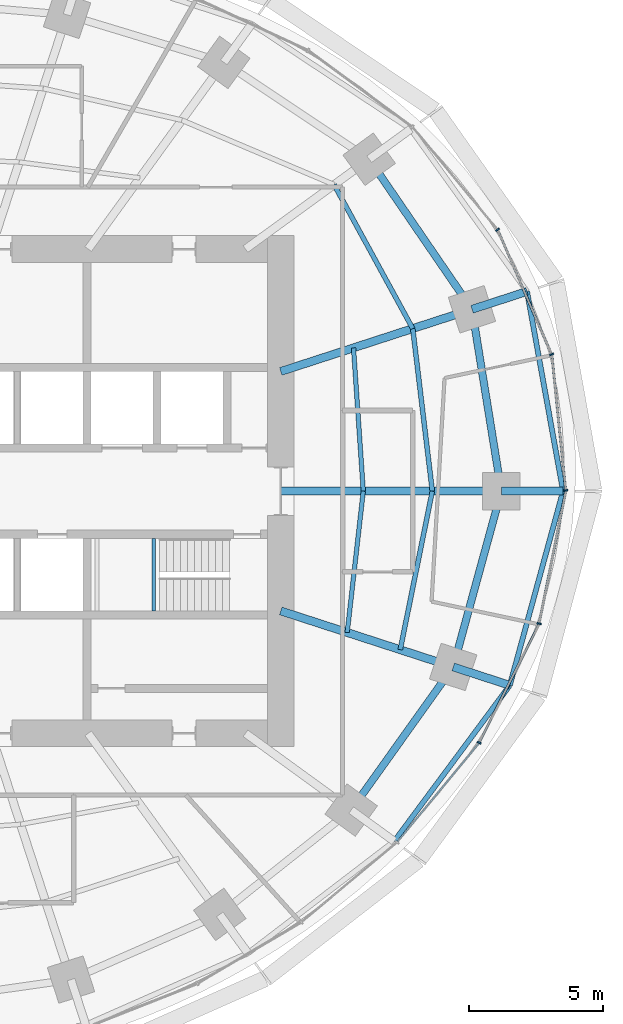
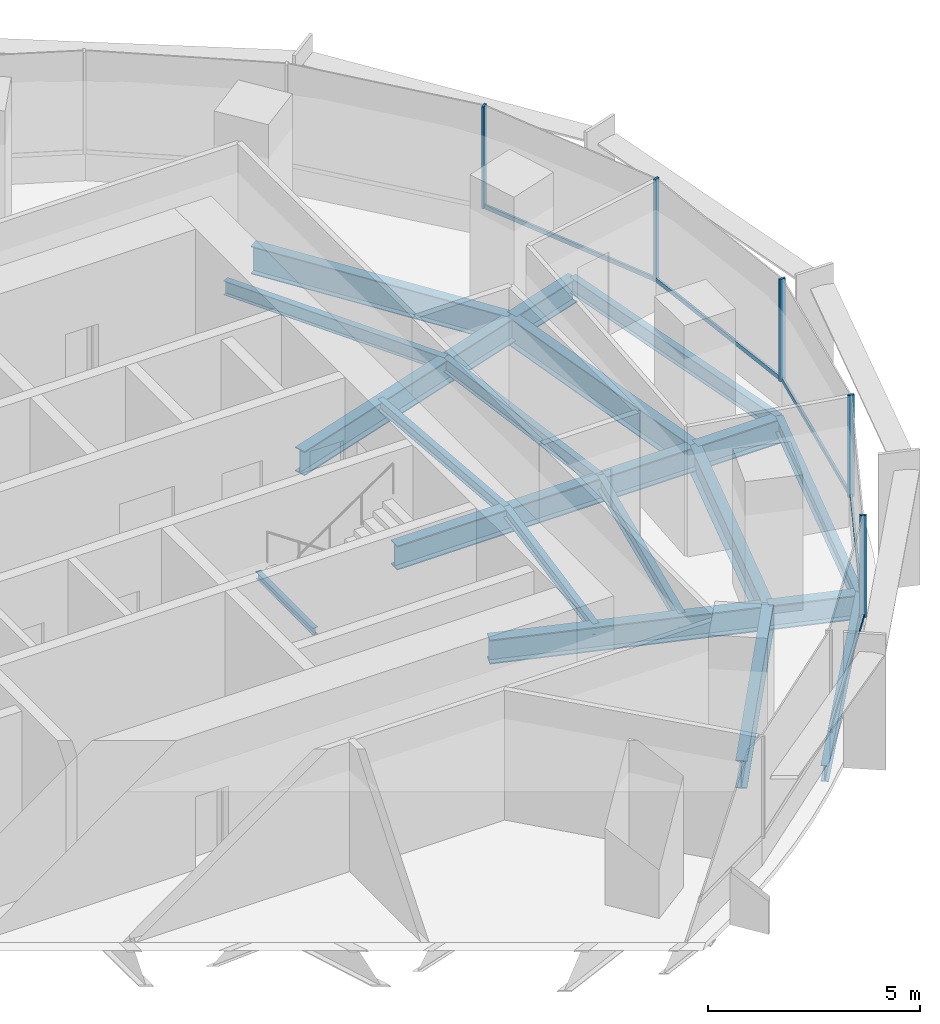
# One storey, part 6 of 14: 19 beams, 10 members, 2 elements without a shape of their own.
"""IFC4 building model written with IfcOpenShell, lengths in metres."""

from ifc_helpers import new_model, si_unit, direction, frame, origin, origin_2d, place, context, subcontext, project, spatial, rectangle, i_section, extrude, material, material_profile, profile_set, type_object, element, aggregate, save


model = new_model("IFC4")

# Units and contexts
model_context = context("Model", 3, precision=1e-05, world=origin(), true_north=direction((0.0, 1.0)))
body_context = subcontext(model_context, "Body", "Model", "MODEL_VIEW")
ifc_project = project(units=[si_unit("LENGTHUNIT", "METRE"), si_unit("AREAUNIT", "SQUARE_METRE"), si_unit("VOLUMEUNIT", "CUBIC_METRE"), si_unit("PLANEANGLEUNIT", "RADIAN"), si_unit("MASSUNIT", "GRAM", prefix="KILO")], contexts=[model_context])

# Site, building, storey
site_placement = place(None, origin())
site = spatial("IfcSite", under=ifc_project, at=site_placement, CompositionType="ELEMENT")
building_placement = place(site_placement, origin())
building = spatial("IfcBuilding", under=site, at=building_placement, Name="Marramba Exchange Tower", CompositionType="ELEMENT")
storey_placement = place(building_placement, frame((0.0, 0.0, 195.5)))
storey = spatial("IfcBuildingStorey", under=building, at=storey_placement, Name="L47", CompositionType="ELEMENT", Elevation=195.5)

# Beams
ifc_material_1 = material(Name="Steel AS/NZS 3679.2 grade 300", Category="steel")
ifc_material_profile_1 = material_profile(ifc_material_1, i_section(OverallWidth=0.300048828125, OverallDepth=0.699951171875, WebThickness=0.010009765625, FlangeThickness=0.031982421875, at=origin_2d()), Name="700WB173")
ifc_profile_set_1 = profile_set([ifc_material_profile_1], Name="Steel AS/NZS 3679.2 grade 300")
beam_type_1 = type_object("IfcBeamType", Name="Cantilever girder 700WB173", PredefinedType="BEAM", material=ifc_profile_set_1)
beam_1_placement = place(storey_placement, frame((21.89990234375, 0.0, -0.510009765625), z_axis=(1.0, 0.0, 0.0), x_axis=(0.0, 1.0, 0.0)))
element("IfcBeam", 1, at=beam_1_placement, inside=storey, type_object=beam_type_1, Name="Cantilever girder L47 TC01", PredefinedType="BEAM", context=body_context, shape_type="SweptSolid", body=[
    extrude(i_section(OverallWidth=0.300048828125, OverallDepth=0.699951171875, WebThickness=0.010009765625, FlangeThickness=0.031982421875, at=origin_2d()), origin(), (0.0, 0.0, 1.0), 2.294189453125),
])
beam_2_placement = place(storey_placement, frame((20.808349609375, 6.760986328125, -0.510009765625), z_axis=(0.951051587859, 0.309032162129, 0.0), x_axis=(-0.309032162129, 0.951051587859, 0.0)))
element("IfcBeam", 2, at=beam_2_placement, inside=storey, type_object=beam_type_1, Name="Cantilever girder L47 TC02", PredefinedType="BEAM", context=body_context, shape_type="SweptSolid", body=[
    extrude(i_section(OverallWidth=0.300048828125, OverallDepth=0.699951171875, WebThickness=0.010009765625, FlangeThickness=0.031982421875, at=origin_2d()), origin(), (0.0, 0.0, 1.0), 2.150390625),
])
beam_3_placement = place(storey_placement, frame((20.109375, -6.533935546875, -0.510009765625), z_axis=(0.951050283347, -0.309036176758, 0.0), x_axis=(0.309036176758, 0.951050283347, 0.0)))
element("IfcBeam", 3, at=beam_3_placement, inside=storey, type_object=beam_type_1, Name="Cantilever girder L47 TC20", PredefinedType="BEAM", context=body_context, shape_type="SweptSolid", body=[
    extrude(i_section(OverallWidth=0.300048828125, OverallDepth=0.699951171875, WebThickness=0.010009765625, FlangeThickness=0.031982421875, at=origin_2d()), origin(), (0.0, 0.0, 1.0), 2.212890625),
])
ifc_material_2 = material(Name="Steel AS/NZS 3679.1 grade 300", Category="steel")
ifc_material_profile_2 = material_profile(ifc_material_2, i_section(OverallWidth=0.166015625, OverallDepth=0.306884765625, WebThickness=0.006591796875, FlangeThickness=0.01171875, FilletRadius=0.011474609375, at=origin_2d()), Name="310UB46.2")
ifc_profile_set_2 = profile_set([ifc_material_profile_2], Name="Steel AS/NZS 3679.1 grade 300")
beam_type_2 = type_object("IfcBeamType", Name="Floor joist 310UB46.2", PredefinedType="JOIST", material=ifc_profile_set_2)
beam_4_placement = place(storey_placement, frame((16.7666015625, 0.0, -0.3134765625), z_axis=(-0.068096259546, 0.99767875563, 0.0), x_axis=(-0.99767875563, -0.068096259546, 0.0)))
element("IfcBeam", 4, at=beam_4_placement, inside=storey, type_object=beam_type_2, Name="Joist L47 bay 01 row 1", PredefinedType="JOIST", context=body_context, shape_type="SweptSolid", body=[
    extrude(i_section(OverallWidth=0.166015625, OverallDepth=0.306884765625, WebThickness=0.006591796875, FlangeThickness=0.01171875, FilletRadius=0.011474609375, at=origin_2d()), origin(), (0.0, 0.0, 1.0), 5.342041015625),
])
beam_5_placement = place(storey_placement, frame((16.169677734375, -5.25390625, -0.3134765625), z_axis=(0.112888968594, 0.993607609054, 0.0), x_axis=(-0.993607609054, 0.112888968594, 0.0)))
element("IfcBeam", 5, at=beam_5_placement, inside=storey, type_object=beam_type_2, Name="Joist L47 bay 20 row 1", PredefinedType="JOIST", context=body_context, shape_type="SweptSolid", body=[
    extrude(i_section(OverallWidth=0.166015625, OverallDepth=0.306884765625, WebThickness=0.006591796875, FlangeThickness=0.01171875, FilletRadius=0.011474609375, at=origin_2d()), origin(), (0.0, 0.0, 1.0), 5.28759765625),
])
ifc_material_profile_3 = material_profile(ifc_material_2, i_section(OverallWidth=0.177978515625, OverallDepth=0.406005859375, WebThickness=0.0078125, FlangeThickness=0.0126953125, FilletRadius=0.011474609375, at=origin_2d()), Name="410UB59.7")
ifc_profile_set_3 = profile_set([ifc_material_profile_3], Name="Steel AS/NZS 3679.1 grade 300")
beam_type_3 = type_object("IfcBeamType", Name="Floor joist 410UB59.7", PredefinedType="JOIST", material=ifc_profile_set_3)
beam_6_placement = place(storey_placement, frame((19.333251953125, 0.0, -0.363037109375), z_axis=(-0.119523078538, 0.992831422597, 0.0), x_axis=(-0.992831422597, -0.119523078538, 0.0)))
element("IfcBeam", 6, at=beam_6_placement, inside=storey, type_object=beam_type_3, Name="Joist L47 bay 01 row 2", PredefinedType="JOIST", context=body_context, shape_type="SweptSolid", body=[
    extrude(i_section(OverallWidth=0.177978515625, OverallDepth=0.406005859375, WebThickness=0.0078125, FlangeThickness=0.0126953125, FilletRadius=0.011474609375, at=origin_2d()), origin(), (0.0, 0.0, 1.0), 6.089111328125),
])
beam_7_placement = place(storey_placement, frame((18.60546875, 6.04541015625, -0.363037109375), z_axis=(-0.479584443791, 0.877495732909, 0.0), x_axis=(-0.877495732909, -0.479584443791, 0.0)))
element("IfcBeam", 7, at=beam_7_placement, inside=storey, type_object=beam_type_3, Name="Joist L47 bay 02 row 2", PredefinedType="JOIST", context=body_context, shape_type="SweptSolid", body=[
    extrude(i_section(OverallWidth=0.177978515625, OverallDepth=0.406005859375, WebThickness=0.0078125, FlangeThickness=0.0126953125, FilletRadius=0.011474609375, at=origin_2d()), origin(), (0.0, 0.0, 1.0), 6.094970703125),
])
beam_8_placement = place(storey_placement, frame((18.1396484375, -5.893798828125, -0.363037109375), z_axis=(0.198489047047, 0.980103105904, 0.0), x_axis=(-0.980103105904, 0.198489047047, 0.0)))
element("IfcBeam", 8, at=beam_8_placement, inside=storey, type_object=beam_type_3, Name="Joist L47 bay 20 row 2", PredefinedType="JOIST", context=body_context, shape_type="SweptSolid", body=[
    extrude(i_section(OverallWidth=0.177978515625, OverallDepth=0.406005859375, WebThickness=0.0078125, FlangeThickness=0.0126953125, FilletRadius=0.011474609375, at=origin_2d()), origin(), (0.0, 0.0, 1.0), 6.013427734375),
])

# Curtain wall, members
ifc_material_3 = material(Name="Aluminium framing, bronze anodised", Category="aluminium")
curtain_wall_type = type_object("IfcCurtainWallType", Name="Office ribbon curtain wall", PredefinedType="USERDEFINED", material=ifc_material_3)
curtain_wall_1_placement = place(storey_placement, origin())
curtain_wall_1 = element("IfcCurtainWall", 9, at=curtain_wall_1_placement, inside=storey, type_object=curtain_wall_type, Name="Curtain wall CW4 L47 F01-F05", ObjectType="RIBBON CURTAIN WALL", PredefinedType="USERDEFINED")
ifc_material_4 = material(Name="Aluminium mullion, bronze anodised", Category="aluminium")
ifc_material_profile_4 = material_profile(ifc_material_4, rectangle(XDim=0.159912109375, YDim=0.06005859375, at=origin_2d()), Name="CW4 mullion 60x160")
ifc_profile_set_4 = profile_set([ifc_material_profile_4], Name="Aluminium mullion, bronze anodised")
member_type_1 = type_object("IfcMemberType", Name="Office ribbon curtain wall mullion", PredefinedType="MULLION", material=ifc_profile_set_4)
member_1_placement = place(storey_placement, frame((24.291015625, 0.02978515625, 0.800048828125), z_axis=(0.0, 0.0, 1.0), x_axis=(-0.994843446001, -0.101422472607, 0.0)))
member_1 = element("IfcMember", 10, at=member_1_placement, type_object=member_type_1, Name="CW4 mullion 1", PredefinedType="MULLION", context=body_context, shape_type="SweptSolid", body=[
    extrude(rectangle(XDim=0.159912109375, YDim=0.06005859375, at=origin_2d()), origin(), (0.0, 0.0, 1.0), 2.93994140625),
])
member_2_placement = place(storey_placement, frame((23.766845703125, 5.081787109375, 0.800048828125), z_axis=(0.0, 0.0, 1.0), x_axis=(-0.918167104527, -0.396193346946, 0.0)))
member_2 = element("IfcMember", 11, at=member_2_placement, type_object=member_type_1, Name="CW4 mullion 1", PredefinedType="MULLION", context=body_context, shape_type="SweptSolid", body=[
    extrude(rectangle(XDim=0.159912109375, YDim=0.06005859375, at=origin_2d()), origin(), (0.0, 0.0, 1.0), 2.93994140625),
])
member_3_placement = place(storey_placement, frame((21.757080078125, 9.718505859375, 0.800048828125), z_axis=(0.0, 0.0, 1.0), x_axis=(-0.770574258342, -0.637350227411, 0.0)))
member_3 = element("IfcMember", 12, at=member_3_placement, type_object=member_type_1, Name="CW4 mullion 1", PredefinedType="MULLION", context=body_context, shape_type="SweptSolid", body=[
    extrude(rectangle(XDim=0.159912109375, YDim=0.06005859375, at=origin_2d()), origin(), (0.0, 0.0, 1.0), 2.93994140625),
])

curtain_wall_2_placement = place(storey_placement, origin())
curtain_wall_2 = element("IfcCurtainWall", 13, at=curtain_wall_2_placement, inside=storey, type_object=curtain_wall_type, Name="Curtain wall CW4 L47 F26-F30", ObjectType="RIBBON CURTAIN WALL", PredefinedType="USERDEFINED")
member_4_placement = place(storey_placement, frame((21.07568359375, -9.3505859375, 0.800048828125), z_axis=(0.0, 0.0, 1.0), x_axis=(-0.892689067591, 0.450673083956, 0.0)))
member_4 = element("IfcMember", 14, at=member_4_placement, type_object=member_type_1, Name="CW4 mullion 1", PredefinedType="MULLION", context=body_context, shape_type="SweptSolid", body=[
    extrude(rectangle(XDim=0.159912109375, YDim=0.06005859375, at=origin_2d()), origin(), (0.0, 0.0, 1.0), 2.93994140625),
])
member_5_placement = place(storey_placement, frame((23.30224609375, -4.92236328125, 0.800048828125), z_axis=(0.0, 0.0, 1.0), x_axis=(-0.980303812539, 0.197495405316, 0.0)))
member_5 = element("IfcMember", 15, at=member_5_placement, type_object=member_type_1, Name="CW4 mullion 1", PredefinedType="MULLION", context=body_context, shape_type="SweptSolid", body=[
    extrude(rectangle(XDim=0.159912109375, YDim=0.06005859375, at=origin_2d()), origin(), (0.0, 0.0, 1.0), 2.93994140625),
])

# Member
ifc_material_5 = material(Name="Aluminium transom, bronze anodised", Category="aluminium")
ifc_material_profile_5 = material_profile(ifc_material_5, rectangle(XDim=0.06005859375, YDim=0.1201171875, at=origin_2d()), Name="CW4 transom 60x120")
ifc_profile_set_5 = profile_set([ifc_material_profile_5], Name="Aluminium transom, bronze anodised")
member_type_2 = type_object("IfcMemberType", Name="Office ribbon curtain wall transom", PredefinedType="USERDEFINED", material=ifc_profile_set_5)
member_6_placement = place(storey_placement, frame((24.287841796875, 0.0595703125, 0.830078125), z_axis=(-0.101386007846, 0.994847162841, 0.0), x_axis=(-0.994847162841, -0.101386007846, 0.0)))
member_6 = element("IfcMember", 16, at=member_6_placement, type_object=member_type_2, Name="CW4 sill transom", ObjectType="TRANSOM", PredefinedType="USERDEFINED", context=body_context, shape_type="SweptSolid", body=[
    extrude(rectangle(XDim=0.06005859375, YDim=0.1201171875, at=origin_2d()), origin(), (0.0, 0.0, 1.0), 5.020751953125),
])

member_7_placement = place(storey_placement, frame((23.7548828125, 5.109375, 0.830078125), z_axis=(-0.396177573744, 0.918173910576, 0.0), x_axis=(-0.918173910576, -0.396177573744, 0.0)))
member_7 = element("IfcMember", 17, at=member_7_placement, type_object=member_type_2, Name="CW4 sill transom", ObjectType="TRANSOM", PredefinedType="USERDEFINED", context=body_context, shape_type="SweptSolid", body=[
    extrude(rectangle(XDim=0.06005859375, YDim=0.1201171875, at=origin_2d()), origin(), (0.0, 0.0, 1.0), 4.99462890625),
])

aggregate(curtain_wall_1, [member_1, member_6, member_2, member_7, member_3])

member_8_placement = place(storey_placement, frame((18.03515625, -13.029296875, 0.830078125), z_axis=(0.638146908901, 0.76991462037, 0.0), x_axis=(-0.76991462037, 0.638146908901, 0.0)))
member_8 = element("IfcMember", 18, at=member_8_placement, type_object=member_type_2, Name="CW4 sill transom", ObjectType="TRANSOM", PredefinedType="USERDEFINED", context=body_context, shape_type="SweptSolid", body=[
    extrude(rectangle(XDim=0.06005859375, YDim=0.1201171875, at=origin_2d()), origin(), (0.0, 0.0, 1.0), 4.7431640625),
])

member_9_placement = place(storey_placement, frame((21.089111328125, -9.323974609375, 0.830078125), z_axis=(0.450679681949, 0.892685736572, 0.0), x_axis=(-0.892685736572, 0.450679681949, 0.0)))
member_9 = element("IfcMember", 19, at=member_9_placement, type_object=member_type_2, Name="CW4 sill transom", ObjectType="TRANSOM", PredefinedType="USERDEFINED", context=body_context, shape_type="SweptSolid", body=[
    extrude(rectangle(XDim=0.06005859375, YDim=0.1201171875, at=origin_2d()), origin(), (0.0, 0.0, 1.0), 4.897705078125),
])

member_10_placement = place(storey_placement, frame((23.308349609375, -4.89306640625, 0.830078125), z_axis=(0.197461053167, 0.980310732616, 0.0), x_axis=(-0.980310732616, 0.197461053167, 0.0)))
member_10 = element("IfcMember", 20, at=member_10_placement, type_object=member_type_2, Name="CW4 sill transom", ObjectType="TRANSOM", PredefinedType="USERDEFINED", context=body_context, shape_type="SweptSolid", body=[
    extrude(rectangle(XDim=0.06005859375, YDim=0.1201171875, at=origin_2d()), origin(), (0.0, 0.0, 1.0), 4.991455078125),
])

aggregate(curtain_wall_2, [member_8, member_4, member_9, member_5, member_10])

# Beams
ifc_material_profile_6 = material_profile(ifc_material_1, i_section(OverallWidth=0.300048828125, OverallDepth=0.699951171875, WebThickness=0.010009765625, FlangeThickness=0.031982421875, at=origin_2d()), Name="700WB173")
ifc_profile_set_6 = profile_set([ifc_material_profile_6], Name="Steel AS/NZS 3679.2 grade 300")
beam_type_4 = type_object("IfcBeamType", Name="Radial girder 700WB173", PredefinedType="BEAM", material=ifc_profile_set_6)
beam_9_placement = place(storey_placement, frame((13.699951171875, 0.0, -0.510009765625), z_axis=(1.0, 0.0, 0.0), x_axis=(0.0, 1.0, 0.0)))
element("IfcBeam", 21, at=beam_9_placement, inside=storey, type_object=beam_type_4, Name="Radial girder L47 TC01", PredefinedType="BEAM", context=body_context, shape_type="SweptSolid", body=[
    extrude(i_section(OverallWidth=0.300048828125, OverallDepth=0.699951171875, WebThickness=0.010009765625, FlangeThickness=0.031982421875, at=origin_2d()), origin(), (0.0, 0.0, 1.0), 8.199951171875),
])
beam_10_placement = place(storey_placement, frame((13.699951171875, 4.451416015625, -0.510009765625), z_axis=(0.951059990189, 0.309006302624, 0.0), x_axis=(-0.309006302624, 0.951059990189, 0.0)))
element("IfcBeam", 22, at=beam_10_placement, inside=storey, type_object=beam_type_4, Name="Radial girder L47 TC02", PredefinedType="BEAM", context=body_context, shape_type="SweptSolid", body=[
    extrude(i_section(OverallWidth=0.300048828125, OverallDepth=0.699951171875, WebThickness=0.010009765625, FlangeThickness=0.031982421875, at=origin_2d()), origin(), (0.0, 0.0, 1.0), 7.47412109375),
])
beam_11_placement = place(storey_placement, frame((13.699951171875, -4.451416015625, -0.510009765625), z_axis=(0.951057759669, -0.309013167637, 0.0), x_axis=(0.309013167637, 0.951057759669, 0.0)))
element("IfcBeam", 23, at=beam_11_placement, inside=storey, type_object=beam_type_4, Name="Radial girder L47 TC20", PredefinedType="BEAM", context=body_context, shape_type="SweptSolid", body=[
    extrude(i_section(OverallWidth=0.300048828125, OverallDepth=0.699951171875, WebThickness=0.010009765625, FlangeThickness=0.031982421875, at=origin_2d()), origin(), (0.0, 0.0, 1.0), 6.7392578125),
])
ifc_material_profile_7 = material_profile(ifc_material_1, i_section(OverallWidth=0.27490234375, OverallDepth=0.800048828125, WebThickness=0.010009765625, FlangeThickness=0.02490234375, at=origin_2d()), Name="800WB168")
ifc_profile_set_7 = profile_set([ifc_material_profile_7], Name="Steel AS/NZS 3679.2 grade 300")
beam_type_5 = type_object("IfcBeamType", Name="Ring beam 800WB168", PredefinedType="SPANDREL", material=ifc_profile_set_7)
beam_12_placement = place(storey_placement, frame((21.89990234375, 0.0, -0.56005859375), z_axis=(-0.159384865399, 0.987216523708, 0.0), x_axis=(-0.987216523708, -0.159384865399, 0.0)))
element("IfcBeam", 24, at=beam_12_placement, inside=storey, type_object=beam_type_5, Name="Ring beam L47 TC01-TC02", PredefinedType="SPANDREL", context=body_context, shape_type="SweptSolid", body=[
    extrude(i_section(OverallWidth=0.27490234375, OverallDepth=0.800048828125, WebThickness=0.010009765625, FlangeThickness=0.02490234375, at=origin_2d()), origin(), (0.0, 0.0, 1.0), 6.8486328125),
])
beam_13_placement = place(storey_placement, frame((20.808349609375, 6.760986328125, -0.56005859375), z_axis=(-0.56516002054, 0.824981303535, 0.0), x_axis=(-0.824981303535, -0.56516002054, 0.0)))
element("IfcBeam", 25, at=beam_13_placement, inside=storey, type_object=beam_type_5, Name="Ring beam L47 TC02-TC03", PredefinedType="SPANDREL", context=body_context, shape_type="SweptSolid", body=[
    extrude(i_section(OverallWidth=0.27490234375, OverallDepth=0.800048828125, WebThickness=0.010009765625, FlangeThickness=0.02490234375, at=origin_2d()), origin(), (0.0, 0.0, 1.0), 6.763671875),
])
beam_14_placement = place(storey_placement, frame((16.3154296875, -11.853759765625, -0.56005859375), z_axis=(0.580637181111, 0.814162430914, 0.0), x_axis=(-0.814162430914, 0.580637181111, 0.0)))
element("IfcBeam", 26, at=beam_14_placement, inside=storey, type_object=beam_type_5, Name="Ring beam L47 TC19-TC20", PredefinedType="SPANDREL", context=body_context, shape_type="SweptSolid", body=[
    extrude(i_section(OverallWidth=0.27490234375, OverallDepth=0.800048828125, WebThickness=0.010009765625, FlangeThickness=0.02490234375, at=origin_2d()), origin(), (0.0, 0.0, 1.0), 6.5341796875),
])
beam_15_placement = place(storey_placement, frame((20.109375, -6.533935546875, -0.56005859375), z_axis=(0.264291166956, 0.964442937176, 0.0), x_axis=(-0.964442937176, 0.264291166956, 0.0)))
element("IfcBeam", 27, at=beam_15_placement, inside=storey, type_object=beam_type_5, Name="Ring beam L47 TC20-TC01", PredefinedType="SPANDREL", context=body_context, shape_type="SweptSolid", body=[
    extrude(i_section(OverallWidth=0.27490234375, OverallDepth=0.800048828125, WebThickness=0.010009765625, FlangeThickness=0.02490234375, at=origin_2d()), origin(), (0.0, 0.0, 1.0), 6.77490234375),
])
ifc_material_profile_8 = material_profile(ifc_material_2, i_section(OverallWidth=0.19091796875, OverallDepth=0.4599609375, WebThickness=0.010009765625, FlangeThickness=0.01611328125, FilletRadius=0.011474609375, at=origin_2d()), Name="460UB82.1")
ifc_profile_set_8 = profile_set([ifc_material_profile_8], Name="Steel AS/NZS 3679.1 grade 300")
beam_type_6 = type_object("IfcBeamType", Name="Slab edge beam 460UB82.1", PredefinedType="SPANDREL", material=ifc_profile_set_8)
beam_16_placement = place(storey_placement, frame((24.194091796875, 0.0, -0.389892578125), z_axis=(-0.177663817107, 0.984091239719, 0.0), x_axis=(-0.984091239719, -0.177663817107, 0.0)))
element("IfcBeam", 28, at=beam_16_placement, inside=storey, type_object=beam_type_6, Name="Slab edge beam L47 TC01-TC02", PredefinedType="SPANDREL", context=body_context, shape_type="SweptSolid", body=[
    extrude(i_section(OverallWidth=0.19091796875, OverallDepth=0.4599609375, WebThickness=0.010009765625, FlangeThickness=0.01611328125, FilletRadius=0.011474609375, at=origin_2d()), origin(), (0.0, 0.0, 1.0), 7.545654296875),
])
beam_17_placement = place(storey_placement, frame((17.916015625, -13.016845703125, -0.389892578125), z_axis=(0.595428136035, 0.803408572781, 0.0), x_axis=(-0.803408572781, 0.595428136035, 0.0)))
element("IfcBeam", 29, at=beam_17_placement, inside=storey, type_object=beam_type_6, Name="Slab edge beam L47 TC19-TC20", PredefinedType="SPANDREL", context=body_context, shape_type="SweptSolid", body=[
    extrude(i_section(OverallWidth=0.19091796875, OverallDepth=0.4599609375, WebThickness=0.010009765625, FlangeThickness=0.01611328125, FilletRadius=0.011474609375, at=origin_2d()), origin(), (0.0, 0.0, 1.0), 7.218017578125),
])
beam_18_placement = place(storey_placement, frame((22.2138671875, -7.2177734375, -0.389892578125), z_axis=(0.264577205901, 0.964364506874, 0.0), x_axis=(-0.964364506874, 0.264577205901, 0.0)))
element("IfcBeam", 30, at=beam_18_placement, inside=storey, type_object=beam_type_6, Name="Slab edge beam L47 TC20-TC01", PredefinedType="SPANDREL", context=body_context, shape_type="SweptSolid", body=[
    extrude(i_section(OverallWidth=0.19091796875, OverallDepth=0.4599609375, WebThickness=0.010009765625, FlangeThickness=0.01611328125, FilletRadius=0.011474609375, at=origin_2d()), origin(), (0.0, 0.0, 1.0), 7.484375),
])
ifc_material_profile_9 = material_profile(ifc_material_2, i_section(OverallWidth=0.133056640625, OverallDepth=0.202880859375, WebThickness=0.005859375, FlangeThickness=0.0078125, FilletRadius=0.0087890625, at=origin_2d()), Name="200UB25.4")
ifc_profile_set_9 = profile_set([ifc_material_profile_9], Name="Steel AS/NZS 3679.1 grade 300")
beam_type_7 = type_object("IfcBeamType", Name="Stair landing beam 200UB25.4", PredefinedType="BEAM", material=ifc_profile_set_9)
beam_19_placement = place(storey_placement, frame((8.9833984375, -4.449951171875, 1.6484375), z_axis=(0.0, 1.0, 0.0), x_axis=(-1.0, 0.0, 0.0)))
element("IfcBeam", 31, at=beam_19_placement, inside=storey, type_object=beam_type_7, Name="Stair landing beam SLB1 ST2 L47 2", PredefinedType="BEAM", context=body_context, shape_type="SweptSolid", body=[
    extrude(i_section(OverallWidth=0.133056640625, OverallDepth=0.202880859375, WebThickness=0.005859375, FlangeThickness=0.0078125, FilletRadius=0.0087890625, at=origin_2d()), origin(), (0.0, 0.0, 1.0), 2.699951171875),
])

save(model, "model.ifc")
